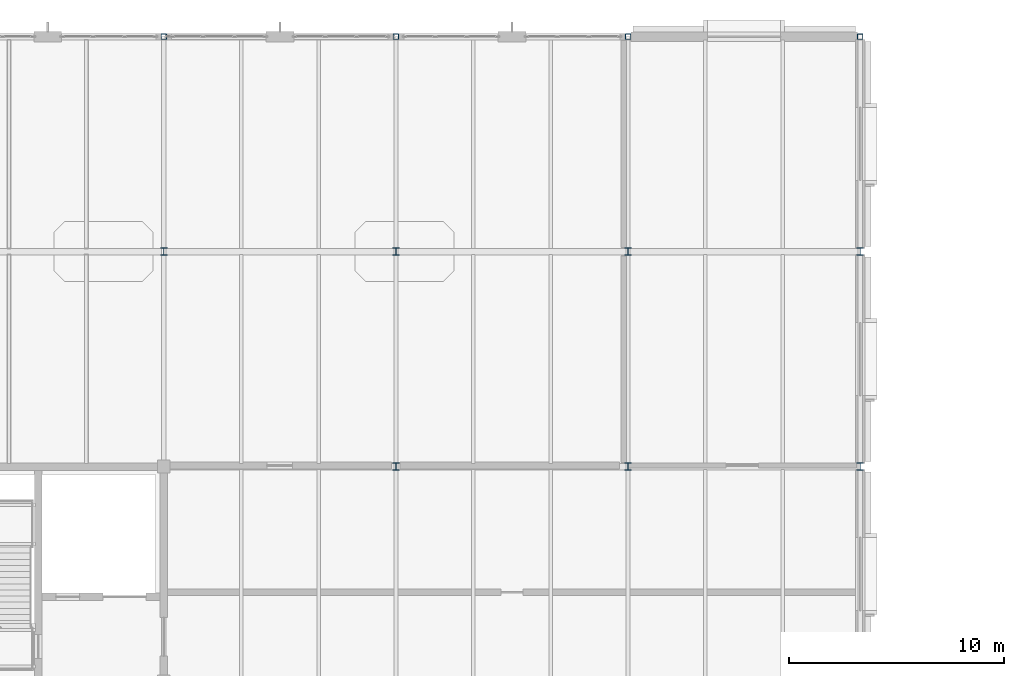
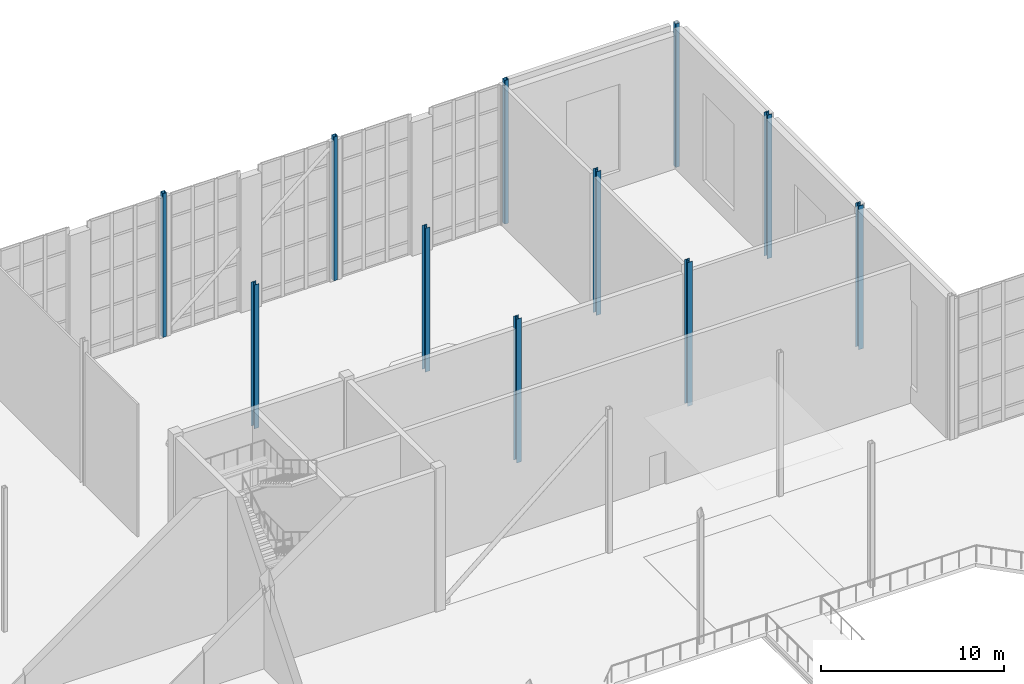
# One storey, part 10 of 100: 11 columns.
"""IFC4 building model written with IfcOpenShell, lengths in metres."""

from ifc_helpers import new_model, si_unit, direction, frame, origin, origin_2d, place, context, subcontext, project, spatial, hollow_rectangle, i_section, extrude, material, material_profile, profile_set, type_object, element, save


model = new_model("IFC4")

# Units and contexts
model_context = context("Model", 3, precision=1e-05, world=origin(), true_north=direction((0.0, 1.0)))
body_context = subcontext(model_context, "Body", "Model", "MODEL_VIEW")
ifc_project = project(units=[si_unit("LENGTHUNIT", "METRE"), si_unit("AREAUNIT", "SQUARE_METRE"), si_unit("VOLUMEUNIT", "CUBIC_METRE"), si_unit("PLANEANGLEUNIT", "RADIAN"), si_unit("MASSUNIT", "GRAM", prefix="KILO")], contexts=[model_context])

# Site, building, storey
site_placement = place(None, origin())
site = spatial("IfcSite", under=ifc_project, at=site_placement, CompositionType="ELEMENT")
building_placement = place(site_placement, origin())
building = spatial("IfcBuilding", under=site, at=building_placement, Name="Tasgan Crest Museum", CompositionType="ELEMENT")
storey_placement = place(building_placement, frame((0.0, 0.0, 14.39990234375)))
storey = spatial("IfcBuildingStorey", under=building, at=storey_placement, Name="L03", CompositionType="ELEMENT", Elevation=14.39990234375)

# Columns
ifc_material_1 = material(Name="Steel S355J2", Category="steel")
ifc_material_profile_1 = material_profile(ifc_material_1, i_section(OverallWidth=0.300048828125, OverallDepth=0.35009765625, WebThickness=0.009521484375, FlangeThickness=0.017578125, FilletRadius=0.027099609375, at=origin_2d()), Name="HEA 360")
ifc_profile_set_1 = profile_set([ifc_material_profile_1], Name="Steel S355J2")
column_type_1 = type_object("IfcColumnType", Name="COL-HEA360", PredefinedType="COLUMN", material=ifc_profile_set_1)
for number, where, z_axis, x_axis, name in (
    (1, (64.800048828125, 102.0, 0.0), (0.0, 0.0, 1.0), (1.0, 0.0, 0.0), "Column 7/L L03"),
    (2, (75.60009765625, 92.0, 0.0), (0.0, 0.0, 1.0), (1.0, 0.0, 0.0), "Column 8/K L03"),
    (3, (75.60009765625, 102.0, 0.0), (0.0, 0.0, 1.0), (1.0, 0.0, 0.0), "Column 8/L L03"),
    (4, (86.39990234375, 92.0, 0.0), (0.0, 0.0, 1.0), (1.0, 0.0, 0.0), "Column 9/K L03"),
    (5, (86.39990234375, 102.0, 0.0), (0.0, 0.0, 1.0), (1.0, 0.0, 0.0), "Column 9/L L03"),
    (6, (97.199951171875, 92.0, 0.0), (0.0, 0.0, 1.0), (1.0, 0.0, 0.0), "Column 10/K L03"),
    (7, (97.199951171875, 102.0, 0.0), (0.0, 0.0, 1.0), (1.0, 0.0, 0.0), "Column 10/L L03"),
):
    element("IfcColumn", number, at=place(storey_placement, frame(where, z_axis=z_axis, x_axis=x_axis)), inside=storey, type_object=column_type_1, Name=name, PredefinedType="COLUMN", context=body_context, shape_type="SweptSolid", body=[
        extrude(i_section(OverallWidth=0.300048828125, OverallDepth=0.35009765625, WebThickness=0.009521484375, FlangeThickness=0.017578125, FilletRadius=0.027099609375, at=origin_2d()), origin(), (0.0, 0.0, 1.0), 9.60009765625),
    ])
ifc_material_2 = material(Name="Steel S355K2", Category="steel")
ifc_material_profile_2 = material_profile(ifc_material_2, hollow_rectangle(XDim=0.260009765625, YDim=0.260009765625, WallThickness=0.01416015625, InnerFilletRadius=0.01416015625, OuterFilletRadius=0.0283203125, at=origin_2d()), Name="SHS 260x260x14.2")
ifc_profile_set_2 = profile_set([ifc_material_profile_2], Name="Steel S355K2")
column_type_2 = type_object("IfcColumnType", Name="COL-SHS260", PredefinedType="COLUMN", material=ifc_profile_set_2)
for number, where, z_axis, x_axis, name in (
    (8, (64.800048828125, 112.0, 0.0), (0.0, 0.0, 1.0), (1.0, 0.0, 0.0), "Column 7/M L03"),
    (9, (75.60009765625, 112.0, 0.0), (0.0, 0.0, 1.0), (1.0, 0.0, 0.0), "Column 8/M L03"),
    (10, (86.39990234375, 112.0, 0.0), (0.0, 0.0, 1.0), (1.0, 0.0, 0.0), "Column 9/M L03"),
    (11, (97.199951171875, 112.0, 0.0), (0.0, 0.0, 1.0), (1.0, 0.0, 0.0), "Column 10/M L03"),
):
    element("IfcColumn", number, at=place(storey_placement, frame(where, z_axis=z_axis, x_axis=x_axis)), inside=storey, type_object=column_type_2, Name=name, PredefinedType="COLUMN", context=body_context, shape_type="SweptSolid", body=[
        extrude(hollow_rectangle(XDim=0.260009765625, YDim=0.260009765625, WallThickness=0.01416015625, InnerFilletRadius=0.01416015625, OuterFilletRadius=0.0283203125, at=origin_2d()), origin(), (0.0, 0.0, 1.0), 9.60009765625),
    ])

save(model, "model.ifc")
